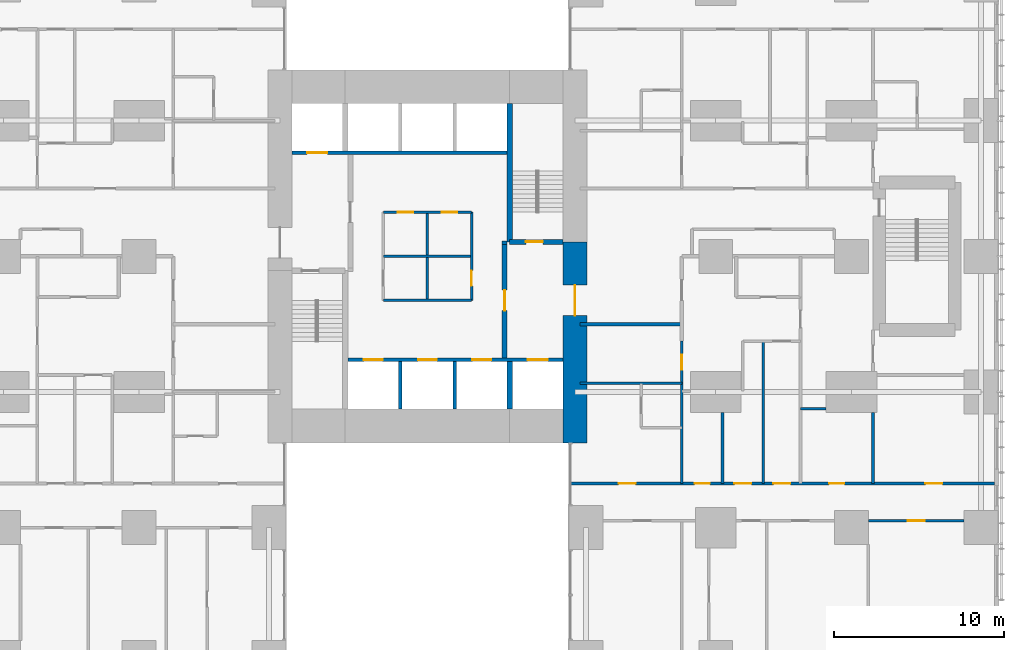
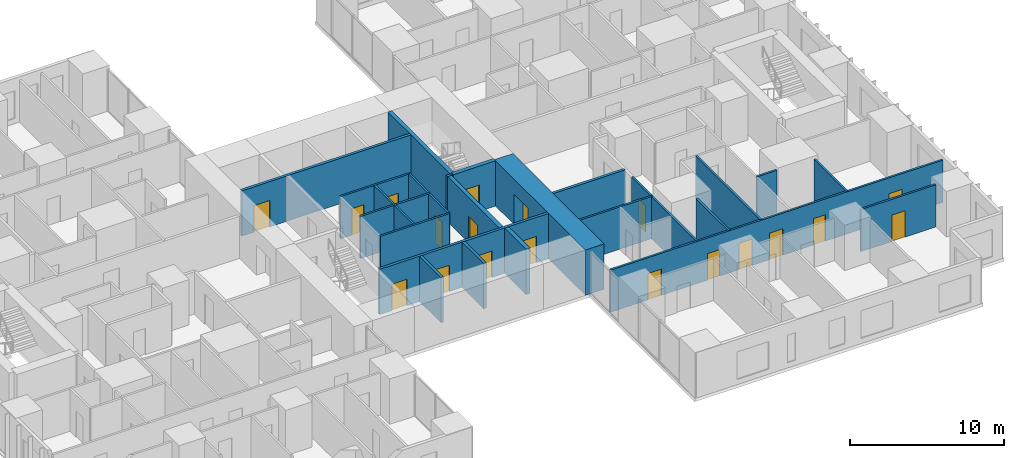
# One storey, part 15 of 20: 24 walls, 19 doors, 19 openings.
"""IFC4 building model written with IfcOpenShell, lengths in metres."""

from ifc_helpers import new_model, si_unit, direction, frame, frame_2d, origin, place, context, subcontext, project, spatial, rectangle, extrude, material, layer, layer_set, type_object, element, fill, save


model = new_model("IFC4")

# Units and contexts
model_context = context("Model", 3, precision=1e-05, world=origin(), true_north=direction((0.0, 1.0)))
body_context = subcontext(model_context, "Body", "Model", "MODEL_VIEW")
ifc_project = project(units=[si_unit("LENGTHUNIT", "METRE"), si_unit("AREAUNIT", "SQUARE_METRE"), si_unit("VOLUMEUNIT", "CUBIC_METRE"), si_unit("PLANEANGLEUNIT", "RADIAN"), si_unit("MASSUNIT", "GRAM", prefix="KILO")], contexts=[model_context])

# Site, building, storey
site_placement = place(None, origin())
site = spatial("IfcSite", under=ifc_project, at=site_placement, CompositionType="ELEMENT")
building_placement = place(site_placement, origin())
building = spatial("IfcBuilding", under=site, at=building_placement, Name="Cleftline Residences", CompositionType="ELEMENT")
storey_placement = place(building_placement, frame((0.0, 0.0, 139.39990234375)))
storey = spatial("IfcBuildingStorey", under=building, at=storey_placement, Name="L36", CompositionType="ELEMENT", Elevation=139.39990234375)

# Wall, opening, door
ifc_material_1 = material(Name="Concrete B70", Category="concrete")
ifc_layer_1 = layer(ifc_material_1, 1.39990234375)
ifc_layer_set_1 = layer_set([ifc_layer_1], Name="CORE WALL 1400")
wall_type_1 = type_object("IfcWallType", Name="CORE WALL 1400", PredefinedType="SHEAR", material=ifc_layer_set_1)
wall_1_placement = place(storey_placement, frame((41.699951171875, 13.0, 0.0), z_axis=(0.0, 0.0, 1.0), x_axis=(0.0, 1.0, 0.0)))
wall_1 = element("IfcWall", 1, at=wall_1_placement, inside=storey, type_object=wall_type_1, Name="Core wall E", PredefinedType="SHEAR", context=body_context, shape_type="SweptSolid", body=[
    extrude(rectangle(XDim=11.85009765625, YDim=1.39990234375, at=frame_2d((5.925048828125, 0.0))), origin(), (0.0, 0.0, 1.0), 3.60009765625),
])
opening_1_placement = place(wall_1_placement, frame((7.5, 0.0, 0.0)))
opening_1 = element("IfcOpeningElement", 2, at=opening_1_placement, cuts=wall_1, Name="Opening D7", PredefinedType="OPENING", context=body_context, shape_type="SweptSolid", body=[
    extrude(rectangle(XDim=1.800048828125, YDim=2.39990234375, at=frame_2d((0.89990234375, 1.199951171875))), frame((0.0, 0.7099609375, 0.0), z_axis=(0.0, -1.0, 0.0), x_axis=(1.0, 0.0, 0.0)), (0.0, 0.0, 1.0), 1.419921875),
])
ifc_material_2 = material(Name="Steel", Category="steel")
door_type_1 = type_object("IfcDoorType", Name="WING DOOR 1800X2400", OperationType="DOUBLE_DOOR_DOUBLE_SWING", PredefinedType="DOOR", material=ifc_material_2)
door_1_placement = place(opening_1_placement, origin())
door_1 = element("IfcDoor", 3, at=door_1_placement, inside=storey, type_object=door_type_1, Name="East wing door", OperationType="DOUBLE_DOOR_DOUBLE_SWING", OverallHeight=2.39990234375, OverallWidth=1.800048828125, PredefinedType="DOOR", context=body_context, shape_type="SweptSolid", body=[
    extrude(rectangle(XDim=1.800048828125, YDim=2.39990234375, at=frame_2d((0.89990234375, 1.199951171875))), frame((0.0, 0.02490234375, 0.0), z_axis=(0.0, -1.0, 0.0), x_axis=(1.0, 0.0, 0.0)), (0.0, 0.0, 1.0), 0.050048828125),
])
fill(opening_1, door_1)

# Wall
ifc_material_3 = material(Name="Concrete B70", Category="concrete")
ifc_layer_2 = layer(ifc_material_3, 0.300048828125)
ifc_layer_set_2 = layer_set([ifc_layer_2], Name="CORE WALL 300")
wall_type_2 = type_object("IfcWallType", Name="CORE WALL 300", PredefinedType="SHEAR", material=ifc_layer_set_2)
wall_2_placement = place(storey_placement, frame((37.85009765625, 24.85009765625, 0.0), z_axis=(0.0, 0.0, 1.0), x_axis=(0.0, 1.0, 0.0)))
element("IfcWall", 4, at=wall_2_placement, inside=storey, type_object=wall_type_2, Name="Core wall SB-W", PredefinedType="SHEAR", context=body_context, shape_type="SweptSolid", body=[
    extrude(rectangle(XDim=8.14990234375, YDim=0.300048828125, at=frame_2d((4.074951171875, 0.0))), origin(), (0.0, 0.0, 1.0), 3.60009765625),
])

# Wall, opening, door
wall_3_placement = place(storey_placement, frame((37.85009765625, 24.85009765625, 0.0), z_axis=(0.0, 0.0, 1.0), x_axis=(1.0, 0.0, 0.0)))
wall_3 = element("IfcWall", 5, at=wall_3_placement, inside=storey, type_object=wall_type_2, Name="Core wall SB-S", PredefinedType="SHEAR", context=body_context, shape_type="SweptSolid", body=[
    extrude(rectangle(XDim=3.14990234375, YDim=0.300048828125, at=frame_2d((1.574951171875, 0.0))), origin(), (0.0, 0.0, 1.0), 3.60009765625),
])
opening_2_placement = place(wall_3_placement, frame((0.949951171875, 0.0, 0.0)))
opening_2 = element("IfcOpeningElement", 6, at=opening_2_placement, cuts=wall_3, Name="Opening D5", PredefinedType="OPENING", context=body_context, shape_type="SweptSolid", body=[
    extrude(rectangle(XDim=1.0, YDim=2.10009765625, at=frame_2d((0.5, 1.050048828125))), frame((0.0, 0.159912109375, 0.0), z_axis=(0.0, -1.0, 0.0), x_axis=(1.0, 0.0, 0.0)), (0.0, 0.0, 1.0), 0.320068359375),
])
ifc_material_4 = material(Name="Steel", Category="steel")
door_type_2 = type_object("IfcDoorType", Name="STAIR DOOR 1000X2100", OperationType="SINGLE_SWING_LEFT", PredefinedType="DOOR", material=ifc_material_4)
door_2_placement = place(opening_2_placement, origin())
door_2 = element("IfcDoor", 7, at=door_2_placement, inside=storey, type_object=door_type_2, Name="Stair B door", OperationType="SINGLE_SWING_RIGHT", OverallHeight=2.10009765625, OverallWidth=1.0, PredefinedType="DOOR", context=body_context, shape_type="SweptSolid", body=[
    extrude(rectangle(XDim=1.0, YDim=2.10009765625, at=frame_2d((0.5, 1.050048828125))), frame((0.0, 0.02490234375, 0.0), z_axis=(0.0, -1.0, 0.0), x_axis=(1.0, 0.0, 0.0)), (0.0, 0.0, 1.0), 0.050048828125),
])
fill(opening_2, door_2)

# Walls
wall_4_placement = place(storey_placement, frame((37.85009765625, 15.0, 0.0), z_axis=(0.0, 0.0, 1.0), x_axis=(0.0, 1.0, 0.0)))
element("IfcWall", 8, at=wall_4_placement, inside=storey, type_object=wall_type_2, Name="Lift shaft wall", PredefinedType="SHEAR", context=body_context, shape_type="SweptSolid", body=[
    extrude(rectangle(XDim=2.800048828125, YDim=0.300048828125, at=frame_2d((1.39990234375, 0.0))), origin(), (0.0, 0.0, 1.0), 3.60009765625),
])
ifc_material_5 = material(Name="Concrete blockwork, fire rated", Category="masonry")
ifc_layer_3 = layer(ifc_material_5, 0.199951171875)
ifc_layer_set_3 = layer_set([ifc_layer_3], Name="FIRE WALL 200")
wall_type_3 = type_object("IfcWallType", Name="FIRE WALL 200", PredefinedType="PARTITIONING", material=ifc_layer_set_3)
wall_5_placement = place(storey_placement, frame((42.0, 20.0, 0.0), z_axis=(0.0, 0.0, 1.0), x_axis=(1.0, 0.0, 0.0)))
element("IfcWall", 9, at=wall_5_placement, inside=storey, type_object=wall_type_3, Name="Fire separating wall", PredefinedType="PARTITIONING", context=body_context, shape_type="SweptSolid", body=[
    extrude(rectangle(XDim=6.0, YDim=0.199951171875, at=frame_2d((3.0, 0.0))), origin(), (0.0, 0.0, 1.0), 3.35009765625),
])
wall_6_placement = place(storey_placement, frame((37.39990234375, 24.800048828125, 0.0), z_axis=(0.0, 0.0, 1.0), x_axis=(1.0, 0.0, 0.0)))
element("IfcWall", 10, at=wall_6_placement, inside=storey, type_object=wall_type_3, Name="Fire separating wall", PredefinedType="PARTITIONING", context=body_context, shape_type="SweptSolid", body=[
    extrude(rectangle(XDim=0.300048828125, YDim=0.199951171875, at=frame_2d((0.14990234375, 0.0))), origin(), (0.0, 0.0, 1.0), 3.60009765625),
])

# Wall, opening, door
ifc_material_6 = material(Name="Gypsum board on steel studs", Category="steel")
ifc_layer_4 = layer(ifc_material_6, 0.14990234375)
ifc_layer_set_4 = layer_set([ifc_layer_4], Name="PARTITION 150")
wall_type_4 = type_object("IfcWallType", Name="PARTITION 150", PredefinedType="PARTITIONING", material=ifc_layer_set_4)
wall_7_placement = place(storey_placement, frame((59.0, 8.39990234375, 0.0), z_axis=(0.0, 0.0, 1.0), x_axis=(1.0, 0.0, 0.0)))
wall_7 = element("IfcWall", 11, at=wall_7_placement, inside=storey, type_object=wall_type_4, Name="Partition", PredefinedType="PARTITIONING", context=body_context, shape_type="SweptSolid", body=[
    extrude(rectangle(XDim=5.64990234375, YDim=0.14990234375, at=frame_2d((2.824951171875, 0.0))), origin(), (0.0, 0.0, 1.0), 3.35009765625),
])
opening_3_placement = place(wall_7_placement, frame((2.324951171875, 0.0, 0.0)))
opening_3 = element("IfcOpeningElement", 12, at=opening_3_placement, cuts=wall_7, Name="Opening D2", PredefinedType="OPENING", context=body_context, shape_type="SweptSolid", body=[
    extrude(rectangle(XDim=1.0, YDim=2.10009765625, at=frame_2d((0.5, 1.050048828125))), frame((0.0, 0.0849609375, 0.0), z_axis=(0.0, -1.0, 0.0), x_axis=(1.0, 0.0, 0.0)), (0.0, 0.0, 1.0), 0.169921875),
])
ifc_material_7 = material(Name="Timber veneer on solid core", Category="wood")
door_type_3 = type_object("IfcDoorType", Name="DOOR 1000X2100", OperationType="SINGLE_SWING_LEFT", PredefinedType="DOOR", material=ifc_material_7)
door_3_placement = place(opening_3_placement, origin())
door_3 = element("IfcDoor", 13, at=door_3_placement, inside=storey, type_object=door_type_3, Name="Door to music room", OperationType="SINGLE_SWING_LEFT", OverallHeight=2.10009765625, OverallWidth=1.0, PredefinedType="DOOR", context=body_context, shape_type="SweptSolid", body=[
    extrude(rectangle(XDim=1.0, YDim=2.10009765625, at=frame_2d((0.5, 1.050048828125))), frame((0.0, 0.02490234375, 0.0), z_axis=(0.0, -1.0, 0.0), x_axis=(1.0, 0.0, 0.0)), (0.0, 0.0, 1.0), 0.050048828125),
])
fill(opening_3, door_3)

# Wall, openings, doors
wall_8_placement = place(storey_placement, frame((41.43896484375, 10.60009765625, 0.0), z_axis=(0.0, 0.0, 1.0), x_axis=(1.0, 0.0, 0.0)))
wall_8 = element("IfcWall", 14, at=wall_8_placement, inside=storey, type_object=wall_type_4, Name="Partition", PredefinedType="PARTITIONING", context=body_context, shape_type="SweptSolid", body=[
    extrude(rectangle(XDim=25.010986328125, YDim=0.14990234375, at=frame_2d((12.50537109375, 0.0))), origin(), (0.0, 0.0, 1.0), 3.35009765625),
])
opening_4_placement = place(wall_8_placement, frame((11.9609375, 0.0, 0.0)))
opening_4 = element("IfcOpeningElement", 15, at=opening_4_placement, cuts=wall_8, Name="Opening D2", PredefinedType="OPENING", context=body_context, shape_type="SweptSolid", body=[
    extrude(rectangle(XDim=1.0, YDim=2.10009765625, at=frame_2d((0.5, 1.050048828125))), frame((0.0, 0.0849609375, 0.0), z_axis=(0.0, -1.0, 0.0), x_axis=(1.0, 0.0, 0.0)), (0.0, 0.0, 1.0), 0.169921875),
])
opening_5_placement = place(wall_8_placement, frame((20.923583984375, 0.0, 0.0)))
opening_5 = element("IfcOpeningElement", 16, at=opening_5_placement, cuts=wall_8, Name="Opening D2", PredefinedType="OPENING", context=body_context, shape_type="SweptSolid", body=[
    extrude(rectangle(XDim=1.0, YDim=2.10009765625, at=frame_2d((0.5, 1.050048828125))), frame((0.0, 0.0849609375, 0.0), z_axis=(0.0, -1.0, 0.0), x_axis=(1.0, 0.0, 0.0)), (0.0, 0.0, 1.0), 0.169921875),
])
opening_6_placement = place(wall_8_placement, frame((15.24853515625, 0.0, 0.0)))
opening_6 = element("IfcOpeningElement", 17, at=opening_6_placement, cuts=wall_8, Name="Opening D1", PredefinedType="OPENING", context=body_context, shape_type="SweptSolid", body=[
    extrude(rectangle(XDim=0.89990234375, YDim=2.10009765625, at=frame_2d((0.449951171875, 1.050048828125))), frame((0.0, 0.0849609375, 0.0), z_axis=(0.0, -1.0, 0.0), x_axis=(1.0, 0.0, 0.0)), (0.0, 0.0, 1.0), 0.169921875),
])
opening_7_placement = place(wall_8_placement, frame((9.660888671875, 0.0, 0.0)))
opening_7 = element("IfcOpeningElement", 18, at=opening_7_placement, cuts=wall_8, Name="Opening D2", PredefinedType="OPENING", context=body_context, shape_type="SweptSolid", body=[
    extrude(rectangle(XDim=1.0, YDim=2.10009765625, at=frame_2d((0.5, 1.050048828125))), frame((0.0, 0.0849609375, 0.0), z_axis=(0.0, -1.0, 0.0), x_axis=(1.0, 0.0, 0.0)), (0.0, 0.0, 1.0), 0.169921875),
])
opening_8_placement = place(wall_8_placement, frame((7.31103515625, 0.0, 0.0)))
opening_8 = element("IfcOpeningElement", 19, at=opening_8_placement, cuts=wall_8, Name="Opening D1", PredefinedType="OPENING", context=body_context, shape_type="SweptSolid", body=[
    extrude(rectangle(XDim=0.89990234375, YDim=2.10009765625, at=frame_2d((0.449951171875, 1.050048828125))), frame((0.0, 0.0849609375, 0.0), z_axis=(0.0, -1.0, 0.0), x_axis=(1.0, 0.0, 0.0)), (0.0, 0.0, 1.0), 0.169921875),
])
opening_9_placement = place(wall_8_placement, frame((2.8359375, 0.0, 0.0)))
opening_9 = element("IfcOpeningElement", 20, at=opening_9_placement, cuts=wall_8, Name="Opening D2", PredefinedType="OPENING", context=body_context, shape_type="SweptSolid", body=[
    extrude(rectangle(XDim=1.0, YDim=2.10009765625, at=frame_2d((0.5, 1.050048828125))), frame((0.0, 0.0849609375, 0.0), z_axis=(0.0, -1.0, 0.0), x_axis=(1.0, 0.0, 0.0)), (0.0, 0.0, 1.0), 0.169921875),
])
door_4_placement = place(opening_4_placement, origin())
door_4 = element("IfcDoor", 21, at=door_4_placement, inside=storey, type_object=door_type_3, Name="Door to residence hall", OperationType="SINGLE_SWING_RIGHT", OverallHeight=2.10009765625, OverallWidth=1.0, PredefinedType="DOOR", context=body_context, shape_type="SweptSolid", body=[
    extrude(rectangle(XDim=1.0, YDim=2.10009765625, at=frame_2d((0.5, 1.050048828125))), frame((0.0, 0.02490234375, 0.0), z_axis=(0.0, -1.0, 0.0), x_axis=(1.0, 0.0, 0.0)), (0.0, 0.0, 1.0), 0.050048828125),
])
fill(opening_4, door_4)
door_5_placement = place(opening_5_placement, origin())
door_5 = element("IfcDoor", 22, at=door_5_placement, inside=storey, type_object=door_type_3, Name="Door to sea-view great room", OperationType="SINGLE_SWING_LEFT", OverallHeight=2.10009765625, OverallWidth=1.0, PredefinedType="DOOR", context=body_context, shape_type="SweptSolid", body=[
    extrude(rectangle(XDim=1.0, YDim=2.10009765625, at=frame_2d((0.5, 1.050048828125))), frame((0.0, 0.02490234375, 0.0), z_axis=(0.0, -1.0, 0.0), x_axis=(1.0, 0.0, 0.0)), (0.0, 0.0, 1.0), 0.050048828125),
])
fill(opening_5, door_5)
door_6_placement = place(opening_7_placement, origin())
door_6 = element("IfcDoor", 23, at=door_6_placement, inside=storey, type_object=door_type_3, Name="Door to wet kitchen", OperationType="SINGLE_SWING_RIGHT", OverallHeight=2.10009765625, OverallWidth=1.0, PredefinedType="DOOR", context=body_context, shape_type="SweptSolid", body=[
    extrude(rectangle(XDim=1.0, YDim=2.10009765625, at=frame_2d((0.5, 1.050048828125))), frame((0.0, 0.02490234375, 0.0), z_axis=(0.0, -1.0, 0.0), x_axis=(1.0, 0.0, 0.0)), (0.0, 0.0, 1.0), 0.050048828125),
])
fill(opening_7, door_6)
door_7_placement = place(opening_9_placement, origin())
door_7 = element("IfcDoor", 24, at=door_7_placement, inside=storey, type_object=door_type_3, Name="Door to staff bedroom", OperationType="SINGLE_SWING_RIGHT", OverallHeight=2.10009765625, OverallWidth=1.0, PredefinedType="DOOR", context=body_context, shape_type="SweptSolid", body=[
    extrude(rectangle(XDim=1.0, YDim=2.10009765625, at=frame_2d((0.5, 1.050048828125))), frame((0.0, 0.02490234375, 0.0), z_axis=(0.0, -1.0, 0.0), x_axis=(1.0, 0.0, 0.0)), (0.0, 0.0, 1.0), 0.050048828125),
])
fill(opening_9, door_7)
ifc_material_8 = material(Name="Timber veneer on solid core", Category="wood")
door_type_4 = type_object("IfcDoorType", Name="DOOR 900X2100", OperationType="SINGLE_SWING_LEFT", PredefinedType="DOOR", material=ifc_material_8)
door_8_placement = place(opening_6_placement, origin())
door_8 = element("IfcDoor", 25, at=door_8_placement, inside=storey, type_object=door_type_4, Name="Door to wine room", OperationType="SINGLE_SWING_LEFT", OverallHeight=2.10009765625, OverallWidth=0.89990234375, PredefinedType="DOOR", context=body_context, shape_type="SweptSolid", body=[
    extrude(rectangle(XDim=0.89990234375, YDim=2.10009765625, at=frame_2d((0.449951171875, 1.050048828125))), frame((0.0, 0.02490234375, 0.0), z_axis=(0.0, -1.0, 0.0), x_axis=(1.0, 0.0, 0.0)), (0.0, 0.0, 1.0), 0.050048828125),
])
fill(opening_6, door_8)
door_9_placement = place(opening_8_placement, origin())
door_9 = element("IfcDoor", 26, at=door_9_placement, inside=storey, type_object=door_type_4, Name="Door to pantry", OperationType="SINGLE_SWING_RIGHT", OverallHeight=2.10009765625, OverallWidth=0.89990234375, PredefinedType="DOOR", context=body_context, shape_type="SweptSolid", body=[
    extrude(rectangle(XDim=0.89990234375, YDim=2.10009765625, at=frame_2d((0.449951171875, 1.050048828125))), frame((0.0, 0.02490234375, 0.0), z_axis=(0.0, -1.0, 0.0), x_axis=(1.0, 0.0, 0.0)), (0.0, 0.0, 1.0), 0.050048828125),
])
fill(opening_8, door_9)

# Walls
wall_9_placement = place(storey_placement, frame((55.0, 15.0, 0.0), z_axis=(0.0, 0.0, 1.0), x_axis=(1.0, 0.0, 0.0)))
element("IfcWall", 27, at=wall_9_placement, inside=storey, type_object=wall_type_4, Name="Partition", PredefinedType="PARTITIONING", context=body_context, shape_type="SweptSolid", body=[
    extrude(rectangle(XDim=1.5, YDim=0.14990234375, at=frame_2d((0.75, 0.0))), origin(), (0.0, 0.0, 1.0), 3.35009765625),
])
wall_10_placement = place(storey_placement, frame((42.0, 16.5, 0.0), z_axis=(0.0, 0.0, 1.0), x_axis=(1.0, 0.0, 0.0)))
element("IfcWall", 28, at=wall_10_placement, inside=storey, type_object=wall_type_4, Name="Partition", PredefinedType="PARTITIONING", context=body_context, shape_type="SweptSolid", body=[
    extrude(rectangle(XDim=6.0, YDim=0.14990234375, at=frame_2d((3.0, 0.0))), origin(), (0.0, 0.0, 1.0), 3.35009765625),
])

# Wall, opening, door
wall_11_placement = place(storey_placement, frame((48.0, 10.60009765625, 0.0), z_axis=(0.0, 0.0, 1.0), x_axis=(0.0, 1.0, 0.0)))
wall_11 = element("IfcWall", 29, at=wall_11_placement, inside=storey, type_object=wall_type_4, Name="Partition", PredefinedType="PARTITIONING", context=body_context, shape_type="SweptSolid", body=[
    extrude(rectangle(XDim=8.39990234375, YDim=0.14990234375, at=frame_2d((4.199951171875, 0.0))), origin(), (0.0, 0.0, 1.0), 3.35009765625),
])
opening_10_placement = place(wall_11_placement, frame((6.699951171875, 0.0, 0.0)))
opening_10 = element("IfcOpeningElement", 30, at=opening_10_placement, cuts=wall_11, Name="Opening D1", PredefinedType="OPENING", context=body_context, shape_type="SweptSolid", body=[
    extrude(rectangle(XDim=0.89990234375, YDim=2.10009765625, at=frame_2d((0.449951171875, 1.050048828125))), frame((0.0, 0.0849609375, 0.0), z_axis=(0.0, -1.0, 0.0), x_axis=(1.0, 0.0, 0.0)), (0.0, 0.0, 1.0), 0.169921875),
])
door_10_placement = place(opening_10_placement, origin())
door_10 = element("IfcDoor", 31, at=door_10_placement, inside=storey, type_object=door_type_4, Name="Door to drying loggia", OperationType="SINGLE_SWING_LEFT", OverallHeight=2.10009765625, OverallWidth=0.89990234375, PredefinedType="DOOR", context=body_context, shape_type="SweptSolid", body=[
    extrude(rectangle(XDim=0.89990234375, YDim=2.10009765625, at=frame_2d((0.449951171875, 1.050048828125))), frame((0.0, 0.02490234375, 0.0), z_axis=(0.0, -1.0, 0.0), x_axis=(1.0, 0.0, 0.0)), (0.0, 0.0, 1.0), 0.050048828125),
])
fill(opening_10, door_10)

# Walls
wall_12_placement = place(storey_placement, frame((50.39990234375, 10.60009765625, 0.0), z_axis=(0.0, 0.0, 1.0), x_axis=(0.0, 1.0, 0.0)))
element("IfcWall", 32, at=wall_12_placement, inside=storey, type_object=wall_type_4, Name="Partition", PredefinedType="PARTITIONING", context=body_context, shape_type="SweptSolid", body=[
    extrude(rectangle(XDim=4.199951171875, YDim=0.14990234375, at=frame_2d((2.10009765625, 0.0))), origin(), (0.0, 0.0, 1.0), 3.35009765625),
])
wall_13_placement = place(storey_placement, frame((52.800048828125, 10.60009765625, 0.0), z_axis=(0.0, 0.0, 1.0), x_axis=(0.0, 1.0, 0.0)))
element("IfcWall", 33, at=wall_13_placement, inside=storey, type_object=wall_type_4, Name="Partition", PredefinedType="PARTITIONING", context=body_context, shape_type="SweptSolid", body=[
    extrude(rectangle(XDim=8.39990234375, YDim=0.14990234375, at=frame_2d((4.199951171875, 0.0))), origin(), (0.0, 0.0, 1.0), 3.35009765625),
])
wall_14_placement = place(storey_placement, frame((59.27490234375, 10.60009765625, 0.0), z_axis=(0.0, 0.0, 1.0), x_axis=(0.0, 1.0, 0.0)))
element("IfcWall", 34, at=wall_14_placement, inside=storey, type_object=wall_type_4, Name="Partition", PredefinedType="PARTITIONING", context=body_context, shape_type="SweptSolid", body=[
    extrude(rectangle(XDim=4.199951171875, YDim=0.14990234375, at=frame_2d((2.10009765625, 0.0))), origin(), (0.0, 0.0, 1.0), 3.35009765625),
])
ifc_material_9 = material(Name="Fire-resisting gypsum board on steel studs", Category="steel")
ifc_layer_5 = layer(ifc_material_9, 0.14990234375)
ifc_layer_set_5 = layer_set([ifc_layer_5], Name="PARTITION 150 EI 60")
wall_type_5 = type_object("IfcWallType", Name="PARTITION 150 EI 60", PredefinedType="PARTITIONING", material=ifc_layer_set_5)
wall_15_placement = place(storey_placement, frame((30.39990234375, 21.39990234375, 0.0), z_axis=(0.0, 0.0, 1.0), x_axis=(1.0, 0.0, 0.0)))
element("IfcWall", 35, at=wall_15_placement, inside=storey, type_object=wall_type_5, Name="Core room partition", PredefinedType="PARTITIONING", context=body_context, shape_type="SweptSolid", body=[
    extrude(rectangle(XDim=5.2001953125, YDim=0.14990234375, at=frame_2d((2.60009765625, 0.0))), origin(), (0.0, 0.0, 1.0), 3.35009765625),
])

# Wall, openings, doors
wall_16_placement = place(storey_placement, frame((30.39990234375, 26.60009765625, 0.0), z_axis=(0.0, 0.0, 1.0), x_axis=(1.0, 0.0, 0.0)))
wall_16 = element("IfcWall", 36, at=wall_16_placement, inside=storey, type_object=wall_type_5, Name="Core room partition", PredefinedType="PARTITIONING", context=body_context, shape_type="SweptSolid", body=[
    extrude(rectangle(XDim=5.2001953125, YDim=0.14990234375, at=frame_2d((2.60009765625, 0.0))), origin(), (0.0, 0.0, 1.0), 3.35009765625),
])
opening_11_placement = place(wall_16_placement, frame((0.85009765625, 0.0, 0.0)))
opening_11 = element("IfcOpeningElement", 37, at=opening_11_placement, cuts=wall_16, Name="Opening D1F30", PredefinedType="OPENING", context=body_context, shape_type="SweptSolid", body=[
    extrude(rectangle(XDim=0.89990234375, YDim=2.10009765625, at=frame_2d((0.449951171875, 1.050048828125))), frame((0.0, 0.0849609375, 0.0), z_axis=(0.0, -1.0, 0.0), x_axis=(1.0, 0.0, 0.0)), (0.0, 0.0, 1.0), 0.169921875),
])
opening_12_placement = place(wall_16_placement, frame((3.449951171875, 0.0, 0.0)))
opening_12 = element("IfcOpeningElement", 38, at=opening_12_placement, cuts=wall_16, Name="Opening D1F30", PredefinedType="OPENING", context=body_context, shape_type="SweptSolid", body=[
    extrude(rectangle(XDim=0.89990234375, YDim=2.10009765625, at=frame_2d((0.449951171875, 1.050048828125))), frame((0.0, 0.0849609375, 0.0), z_axis=(0.0, -1.0, 0.0), x_axis=(1.0, 0.0, 0.0)), (0.0, 0.0, 1.0), 0.169921875),
])
ifc_material_10 = material(Name="Timber veneer on solid core", Category="wood")
door_type_5 = type_object("IfcDoorType", Name="DOOR 900X2100 EI 30", OperationType="SINGLE_SWING_LEFT", PredefinedType="DOOR", material=ifc_material_10)
door_11_placement = place(opening_11_placement, origin())
door_11 = element("IfcDoor", 39, at=door_11_placement, inside=storey, type_object=door_type_5, Name="Door to linen store", OperationType="SINGLE_SWING_RIGHT", OverallHeight=2.10009765625, OverallWidth=0.89990234375, PredefinedType="DOOR", context=body_context, shape_type="SweptSolid", body=[
    extrude(rectangle(XDim=0.89990234375, YDim=2.10009765625, at=frame_2d((0.449951171875, 1.050048828125))), frame((0.0, 0.02490234375, 0.0), z_axis=(0.0, -1.0, 0.0), x_axis=(1.0, 0.0, 0.0)), (0.0, 0.0, 1.0), 0.050048828125),
])
fill(opening_11, door_11)
door_12_placement = place(opening_12_placement, origin())
door_12 = element("IfcDoor", 40, at=door_12_placement, inside=storey, type_object=door_type_5, Name="Door to guest pantry", OperationType="SINGLE_SWING_LEFT", OverallHeight=2.10009765625, OverallWidth=0.89990234375, PredefinedType="DOOR", context=body_context, shape_type="SweptSolid", body=[
    extrude(rectangle(XDim=0.89990234375, YDim=2.10009765625, at=frame_2d((0.449951171875, 1.050048828125))), frame((0.0, 0.02490234375, 0.0), z_axis=(0.0, -1.0, 0.0), x_axis=(1.0, 0.0, 0.0)), (0.0, 0.0, 1.0), 0.050048828125),
])
fill(opening_12, door_12)

# Wall, opening, door
wall_17_placement = place(storey_placement, frame((35.60009765625, 21.39990234375, 0.0), z_axis=(0.0, 0.0, 1.0), x_axis=(0.0, 1.0, 0.0)))
wall_17 = element("IfcWall", 41, at=wall_17_placement, inside=storey, type_object=wall_type_5, Name="Core room partition", PredefinedType="PARTITIONING", context=body_context, shape_type="SweptSolid", body=[
    extrude(rectangle(XDim=5.2001953125, YDim=0.14990234375, at=frame_2d((2.60009765625, 0.0))), origin(), (0.0, 0.0, 1.0), 3.35009765625),
])
opening_13_placement = place(wall_17_placement, frame((0.85009765625, 0.0, 0.0)))
opening_13 = element("IfcOpeningElement", 42, at=opening_13_placement, cuts=wall_17, Name="Opening D1F30", PredefinedType="OPENING", context=body_context, shape_type="SweptSolid", body=[
    extrude(rectangle(XDim=0.89990234375, YDim=2.10009765625, at=frame_2d((0.449951171875, 1.050048828125))), frame((0.0, 0.0849609375, 0.0), z_axis=(0.0, -1.0, 0.0), x_axis=(1.0, 0.0, 0.0)), (0.0, 0.0, 1.0), 0.169921875),
])
door_13_placement = place(opening_13_placement, origin())
door_13 = element("IfcDoor", 43, at=door_13_placement, inside=storey, type_object=door_type_5, Name="Door to housekeeping store", OperationType="SINGLE_SWING_RIGHT", OverallHeight=2.10009765625, OverallWidth=0.89990234375, PredefinedType="DOOR", context=body_context, shape_type="SweptSolid", body=[
    extrude(rectangle(XDim=0.89990234375, YDim=2.10009765625, at=frame_2d((0.449951171875, 1.050048828125))), frame((0.0, 0.02490234375, 0.0), z_axis=(0.0, -1.0, 0.0), x_axis=(1.0, 0.0, 0.0)), (0.0, 0.0, 1.0), 0.050048828125),
])
fill(opening_13, door_13)

# Walls
for number, where, z_axis, x_axis, name in (
    (44, (30.39990234375, 24.0, 0.0), (0.0, 0.0, 1.0), (1.0, 0.0, 0.0), "Core room partition"),
    (45, (33.0, 21.39990234375, 0.0), (0.0, 0.0, 1.0), (0.0, 1.0, 0.0), "Core room partition"),
):
    element("IfcWall", number, at=place(storey_placement, frame(where, z_axis=z_axis, x_axis=x_axis)), inside=storey, type_object=wall_type_5, Name=name, PredefinedType="PARTITIONING", context=body_context, shape_type="SweptSolid", body=[
        extrude(rectangle(XDim=5.2001953125, YDim=0.14990234375, at=frame_2d((2.60009765625, 0.0))), origin(), (0.0, 0.0, 1.0), 3.35009765625),
    ])

# Wall, openings, doors
ifc_material_11 = material(Name="Concrete blockwork, fire rated", Category="masonry")
ifc_layer_6 = layer(ifc_material_11, 0.199951171875)
ifc_layer_set_6 = layer_set([ifc_layer_6], Name="SHAFT WALL 200")
wall_type_6 = type_object("IfcWallType", Name="SHAFT WALL 200", PredefinedType="PARTITIONING", material=ifc_layer_set_6)
wall_18_placement = place(storey_placement, frame((28.300048828125, 17.89990234375, 0.0), z_axis=(0.0, 0.0, 1.0), x_axis=(1.0, 0.0, 0.0)))
wall_18 = element("IfcWall", 46, at=wall_18_placement, inside=storey, type_object=wall_type_6, Name="Lift shaft wall", PredefinedType="PARTITIONING", context=body_context, shape_type="SweptSolid", body=[
    extrude(rectangle(XDim=12.699951171875, YDim=0.199951171875, at=frame_2d((6.35009765625, 0.0))), origin(), (0.0, 0.0, 1.0), 3.60009765625),
])
opening_14_placement = place(wall_18_placement, frame((0.949951171875, 0.0, 0.0)))
opening_14 = element("IfcOpeningElement", 47, at=opening_14_placement, cuts=wall_18, Name="Opening LD1", PredefinedType="OPENING", context=body_context, shape_type="SweptSolid", body=[
    extrude(rectangle(XDim=1.10009765625, YDim=2.10009765625, at=frame_2d((0.550048828125, 1.050048828125))), frame((0.0, 0.10986328125, 0.0), z_axis=(0.0, -1.0, 0.0), x_axis=(1.0, 0.0, 0.0)), (0.0, 0.0, 1.0), 0.219970703125),
])
opening_15_placement = place(wall_18_placement, frame((4.14990234375, 0.0, 0.0)))
opening_15 = element("IfcOpeningElement", 48, at=opening_15_placement, cuts=wall_18, Name="Opening LD1", PredefinedType="OPENING", context=body_context, shape_type="SweptSolid", body=[
    extrude(rectangle(XDim=1.10009765625, YDim=2.10009765625, at=frame_2d((0.550048828125, 1.050048828125))), frame((0.0, 0.10986328125, 0.0), z_axis=(0.0, -1.0, 0.0), x_axis=(1.0, 0.0, 0.0)), (0.0, 0.0, 1.0), 0.219970703125),
])
opening_16_placement = place(wall_18_placement, frame((7.35009765625, 0.0, 0.0)))
opening_16 = element("IfcOpeningElement", 49, at=opening_16_placement, cuts=wall_18, Name="Opening LD1", PredefinedType="OPENING", context=body_context, shape_type="SweptSolid", body=[
    extrude(rectangle(XDim=1.10009765625, YDim=2.10009765625, at=frame_2d((0.550048828125, 1.050048828125))), frame((0.0, 0.10986328125, 0.0), z_axis=(0.0, -1.0, 0.0), x_axis=(1.0, 0.0, 0.0)), (0.0, 0.0, 1.0), 0.219970703125),
])
opening_17_placement = place(wall_18_placement, frame((10.60009765625, 0.0, 0.0)))
opening_17 = element("IfcOpeningElement", 50, at=opening_17_placement, cuts=wall_18, Name="Opening LD2", PredefinedType="OPENING", context=body_context, shape_type="SweptSolid", body=[
    extrude(rectangle(XDim=1.199951171875, YDim=2.10009765625, at=frame_2d((0.60009765625, 1.050048828125))), frame((0.0, 0.10986328125, 0.0), z_axis=(0.0, -1.0, 0.0), x_axis=(1.0, 0.0, 0.0)), (0.0, 0.0, 1.0), 0.219970703125),
])
ifc_material_12 = material(Name="Steel", Category="steel")
door_type_6 = type_object("IfcDoorType", Name="FIREFIGHTING LIFT LANDING DOOR 1200X2100", OperationType="SLIDING_TO_LEFT", PredefinedType="DOOR", material=ifc_material_12)
door_14_placement = place(opening_17_placement, origin())
door_14 = element("IfcDoor", 51, at=door_14_placement, inside=storey, type_object=door_type_6, Name="Lift FL2 landing door", OperationType="SLIDING_TO_LEFT", OverallHeight=2.10009765625, OverallWidth=1.199951171875, PredefinedType="DOOR", context=body_context, shape_type="SweptSolid", body=[
    extrude(rectangle(XDim=1.199951171875, YDim=2.10009765625, at=frame_2d((0.60009765625, 1.050048828125))), frame((0.0, 0.02490234375, 0.0), z_axis=(0.0, -1.0, 0.0), x_axis=(1.0, 0.0, 0.0)), (0.0, 0.0, 1.0), 0.050048828125),
])
fill(opening_17, door_14)
ifc_material_13 = material(Name="Steel", Category="steel")
door_type_7 = type_object("IfcDoorType", Name="LIFT LANDING DOOR 1100X2100", OperationType="SLIDING_TO_LEFT", PredefinedType="DOOR", material=ifc_material_13)
door_15_placement = place(opening_14_placement, origin())
door_15 = element("IfcDoor", 52, at=door_15_placement, inside=storey, type_object=door_type_7, Name="Lift P1 landing door", OperationType="SLIDING_TO_LEFT", OverallHeight=2.10009765625, OverallWidth=1.10009765625, PredefinedType="DOOR", context=body_context, shape_type="SweptSolid", body=[
    extrude(rectangle(XDim=1.10009765625, YDim=2.10009765625, at=frame_2d((0.550048828125, 1.050048828125))), frame((0.0, 0.02490234375, 0.0), z_axis=(0.0, -1.0, 0.0), x_axis=(1.0, 0.0, 0.0)), (0.0, 0.0, 1.0), 0.050048828125),
])
fill(opening_14, door_15)
door_16_placement = place(opening_15_placement, origin())
door_16 = element("IfcDoor", 53, at=door_16_placement, inside=storey, type_object=door_type_7, Name="Lift P2 landing door", OperationType="SLIDING_TO_LEFT", OverallHeight=2.10009765625, OverallWidth=1.10009765625, PredefinedType="DOOR", context=body_context, shape_type="SweptSolid", body=[
    extrude(rectangle(XDim=1.10009765625, YDim=2.10009765625, at=frame_2d((0.550048828125, 1.050048828125))), frame((0.0, 0.02490234375, 0.0), z_axis=(0.0, -1.0, 0.0), x_axis=(1.0, 0.0, 0.0)), (0.0, 0.0, 1.0), 0.050048828125),
])
fill(opening_15, door_16)
door_17_placement = place(opening_16_placement, origin())
door_17 = element("IfcDoor", 54, at=door_17_placement, inside=storey, type_object=door_type_7, Name="Lift P3 landing door", OperationType="SLIDING_TO_LEFT", OverallHeight=2.10009765625, OverallWidth=1.10009765625, PredefinedType="DOOR", context=body_context, shape_type="SweptSolid", body=[
    extrude(rectangle(XDim=1.10009765625, YDim=2.10009765625, at=frame_2d((0.550048828125, 1.050048828125))), frame((0.0, 0.02490234375, 0.0), z_axis=(0.0, -1.0, 0.0), x_axis=(1.0, 0.0, 0.0)), (0.0, 0.0, 1.0), 0.050048828125),
])
fill(opening_16, door_17)

# Wall, opening, door
wall_19_placement = place(storey_placement, frame((25.0, 30.10009765625, 0.0), z_axis=(0.0, 0.0, 1.0), x_axis=(1.0, 0.0, 0.0)))
wall_19 = element("IfcWall", 55, at=wall_19_placement, inside=storey, type_object=wall_type_6, Name="Lift shaft wall", PredefinedType="PARTITIONING", context=body_context, shape_type="SweptSolid", body=[
    extrude(rectangle(XDim=12.699951171875, YDim=0.199951171875, at=frame_2d((6.35009765625, 0.0))), origin(), (0.0, 0.0, 1.0), 3.60009765625),
])
opening_18_placement = place(wall_19_placement, frame((0.89990234375, 0.0, 0.0)))
opening_18 = element("IfcOpeningElement", 56, at=opening_18_placement, cuts=wall_19, Name="Opening LD2", PredefinedType="OPENING", context=body_context, shape_type="SweptSolid", body=[
    extrude(rectangle(XDim=1.199951171875, YDim=2.10009765625, at=frame_2d((0.60009765625, 1.050048828125))), frame((0.0, 0.10986328125, 0.0), z_axis=(0.0, -1.0, 0.0), x_axis=(1.0, 0.0, 0.0)), (0.0, 0.0, 1.0), 0.219970703125),
])
door_18_placement = place(opening_18_placement, origin())
door_18 = element("IfcDoor", 57, at=door_18_placement, inside=storey, type_object=door_type_6, Name="Lift FL1 landing door", OperationType="SLIDING_TO_LEFT", OverallHeight=2.10009765625, OverallWidth=1.199951171875, PredefinedType="DOOR", context=body_context, shape_type="SweptSolid", body=[
    extrude(rectangle(XDim=1.199951171875, YDim=2.10009765625, at=frame_2d((0.60009765625, 1.050048828125))), frame((0.0, 0.02490234375, 0.0), z_axis=(0.0, -1.0, 0.0), x_axis=(1.0, 0.0, 0.0)), (0.0, 0.0, 1.0), 0.050048828125),
])
fill(opening_18, door_18)

# Walls
for number, where, z_axis, x_axis, name in (
    (58, (31.39990234375, 15.0, 0.0), (0.0, 0.0, 1.0), (0.0, 1.0, 0.0), "Lift shaft wall"),
    (59, (34.60009765625, 15.0, 0.0), (0.0, 0.0, 1.0), (0.0, 1.0, 0.0), "Lift shaft wall"),
):
    element("IfcWall", number, at=place(storey_placement, frame(where, z_axis=z_axis, x_axis=x_axis)), inside=storey, type_object=wall_type_6, Name=name, PredefinedType="PARTITIONING", context=body_context, shape_type="SweptSolid", body=[
        extrude(rectangle(XDim=2.800048828125, YDim=0.199951171875, at=frame_2d((1.39990234375, 0.0))), origin(), (0.0, 0.0, 1.0), 3.60009765625),
    ])

# Wall, opening, door
ifc_material_14 = material(Name="Concrete blockwork, fire rated", Category="masonry")
ifc_layer_7 = layer(ifc_material_14, 0.300048828125)
ifc_layer_set_7 = layer_set([ifc_layer_7], Name="STAIR LOBBY WALL 300")
wall_type_7 = type_object("IfcWallType", Name="STAIR LOBBY WALL 300", PredefinedType="PARTITIONING", material=ifc_layer_set_7)
wall_20_placement = place(storey_placement, frame((37.550048828125, 18.0, 0.0), z_axis=(0.0, 0.0, 1.0), x_axis=(0.0, 1.0, 0.0)))
wall_20 = element("IfcWall", 60, at=wall_20_placement, inside=storey, type_object=wall_type_7, Name="Stair and lobby wall FB-W", PredefinedType="PARTITIONING", context=body_context, shape_type="SweptSolid", body=[
    extrude(rectangle(XDim=6.699951171875, YDim=0.300048828125, at=frame_2d((3.35009765625, 0.0))), origin(), (0.0, 0.0, 1.0), 3.60009765625),
])
opening_19_placement = place(wall_20_placement, frame((2.800048828125, 0.0, 0.0)))
opening_19 = element("IfcOpeningElement", 61, at=opening_19_placement, cuts=wall_20, Name="Opening D6", PredefinedType="OPENING", context=body_context, shape_type="SweptSolid", body=[
    extrude(rectangle(XDim=1.199951171875, YDim=2.10009765625, at=frame_2d((0.60009765625, 1.050048828125))), frame((0.0, 0.159912109375, 0.0), z_axis=(0.0, -1.0, 0.0), x_axis=(1.0, 0.0, 0.0)), (0.0, 0.0, 1.0), 0.320068359375),
])
ifc_material_15 = material(Name="Steel", Category="steel")
door_type_8 = type_object("IfcDoorType", Name="LOBBY DOOR 1200X2100", OperationType="SINGLE_SWING_RIGHT", PredefinedType="DOOR", material=ifc_material_15)
door_19_placement = place(opening_19_placement, origin())
door_19 = element("IfcDoor", 62, at=door_19_placement, inside=storey, type_object=door_type_8, Name="Firefighting lobby B door", OperationType="SINGLE_SWING_LEFT", OverallHeight=2.10009765625, OverallWidth=1.199951171875, PredefinedType="DOOR", context=body_context, shape_type="SweptSolid", body=[
    extrude(rectangle(XDim=1.199951171875, YDim=2.10009765625, at=frame_2d((0.60009765625, 1.050048828125))), frame((0.0, 0.02490234375, 0.0), z_axis=(0.0, -1.0, 0.0), x_axis=(1.0, 0.0, 0.0)), (0.0, 0.0, 1.0), 0.050048828125),
])
fill(opening_19, door_19)

save(model, "model.ifc")
